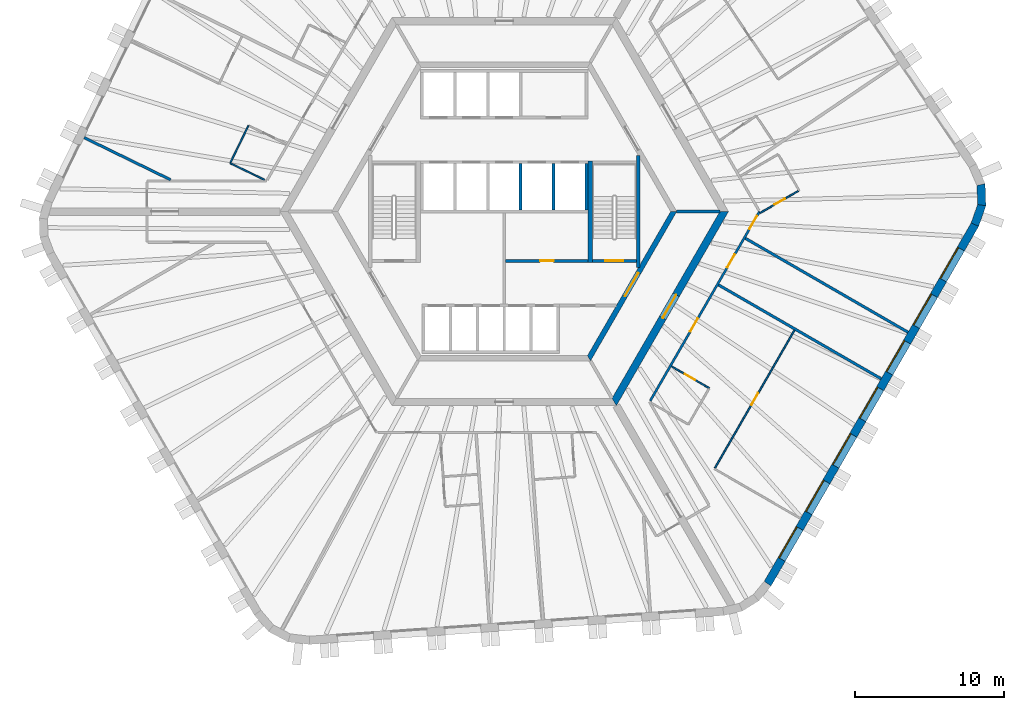
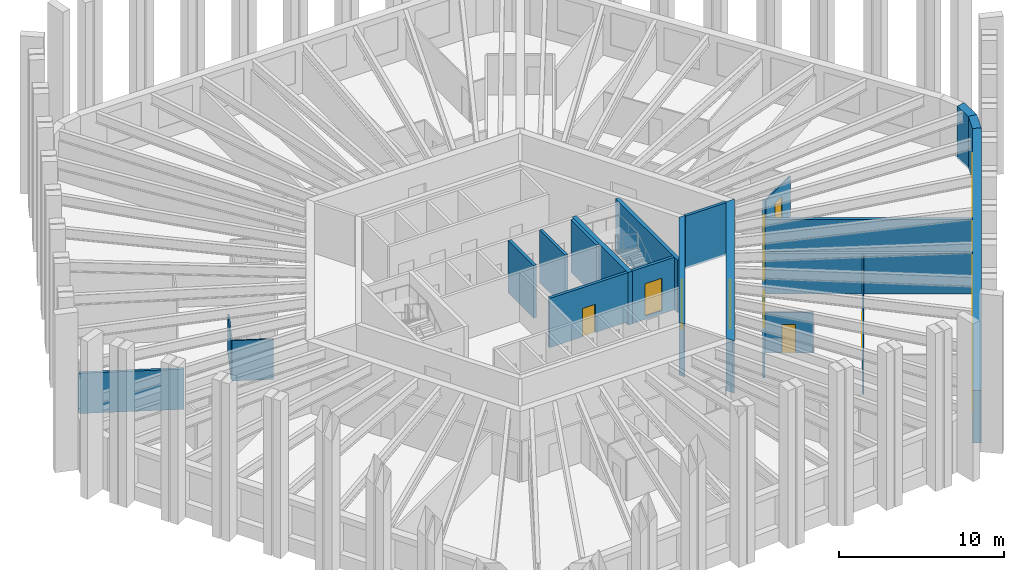
# One storey, part 5 of 9: 22 walls, 10 doors, 7 windows, 17 openings.
"""IFC4 building model written with IfcOpenShell, lengths in metres."""

from ifc_helpers import new_model, si_unit, direction, frame, frame_2d, origin, place, context, subcontext, project, spatial, polyline, rectangle, outline, extrude, material, layer, layer_set, type_object, element, fill, save


model = new_model("IFC4")

# Units and contexts
model_context = context("Model", 3, precision=1e-05, world=origin(), true_north=direction((0.0, 1.0)))
body_context = subcontext(model_context, "Body", "Model", "MODEL_VIEW")
ifc_project = project(units=[si_unit("LENGTHUNIT", "METRE"), si_unit("AREAUNIT", "SQUARE_METRE"), si_unit("VOLUMEUNIT", "CUBIC_METRE"), si_unit("PLANEANGLEUNIT", "RADIAN"), si_unit("MASSUNIT", "GRAM", prefix="KILO")], contexts=[model_context])

# Site, building, storey
site_placement = place(None, origin())
site = spatial("IfcSite", under=ifc_project, at=site_placement, CompositionType="ELEMENT")
building_placement = place(site_placement, origin())
building = spatial("IfcBuilding", under=site, at=building_placement, Name="Tarnside Tower", CompositionType="ELEMENT")
storey_placement = place(building_placement, frame((0.0, 0.0, 215.10009765625)))
storey = spatial("IfcBuildingStorey", under=building, at=storey_placement, Name="L51", CompositionType="ELEMENT", Elevation=215.10009765625)

# Walls
ifc_material_1 = material(Name="Gypsum board partition on steel studs", Category="steel")
ifc_layer_1 = layer(ifc_material_1, 0.10009765625)
ifc_layer_set_1 = layer_set([ifc_layer_1], Name="Bathroom wall 100")
wall_type_1 = type_object("IfcWallType", Name="Bathroom wall 100", PredefinedType="PARTITIONING", material=ifc_layer_set_1)
wall_1_placement = place(storey_placement, frame((-16.059814453125, 2.125, 0.0), z_axis=(0.0, 0.0, 1.0), x_axis=(-0.898792392919, 0.438374536704, 0.0)))
element("IfcWall", 1, at=wall_1_placement, inside=storey, type_object=wall_type_1, Name="Bathroom wall 17060", PredefinedType="PARTITIONING", context=body_context, shape_type="SweptSolid", body=[
    extrude(rectangle(XDim=2.54736328125, YDim=0.10009765625, at=frame_2d((1.273681640625, 0.0))), origin(), (0.0, 0.0, 1.0), 2.98779296875),
])
wall_2_placement = place(storey_placement, frame((-18.32763671875, 3.28662109375, 0.0), z_axis=(0.0, 0.0, 1.0), x_axis=(0.438385151252, 0.898787215731, 0.0)))
element("IfcWall", 2, at=wall_2_placement, inside=storey, type_object=wall_type_1, Name="Bathroom wall 17061", PredefinedType="PARTITIONING", context=body_context, shape_type="SweptSolid", body=[
    extrude(rectangle(XDim=2.75, YDim=0.10009765625, at=frame_2d((1.375, 0.0))), origin(), (0.0, 0.0, 1.0), 2.98779296875),
])

# Wall, opening, door
wall_3_placement = place(storey_placement, frame((11.193359375, -10.362548828125, 0.0), z_axis=(0.0, 0.0, 1.0), x_axis=(0.865989585315, -0.500062034277, 0.0)))
wall_3 = element("IfcWall", 3, at=wall_3_placement, inside=storey, type_object=wall_type_1, Name="Bathroom wall 17081", PredefinedType="PARTITIONING", context=body_context, shape_type="SweptSolid", body=[
    extrude(rectangle(XDim=2.925048828125, YDim=0.10009765625, at=frame_2d((1.46240234375, 0.0))), origin(), (0.0, 0.0, 1.0), 2.98779296875),
])
opening_1_placement = place(wall_3_placement, frame((1.02490234375, 0.0, 0.0)))
opening_1 = element("IfcOpeningElement", 4, at=opening_1_placement, cuts=wall_3, Name="Opening D-B1", PredefinedType="OPENING", context=body_context, shape_type="SweptSolid", body=[
    extrude(rectangle(XDim=0.800048828125, YDim=2.10009765625, at=frame_2d((0.39990234375, 1.050048828125))), frame((0.0, 0.06005859375, 0.0), z_axis=(0.0, -1.0, 0.0), x_axis=(1.0, 0.0, 0.0)), (0.0, 0.0, 1.0), 0.1201171875),
])
ifc_material_2 = material(Name="Timber door leaf", Category="wood")
door_type_1 = type_object("IfcDoorType", Name="Bathroom door 800", OperationType="NOTDEFINED", PredefinedType="DOOR", material=ifc_material_2)
door_1_placement = place(opening_1_placement, origin())
door_1 = element("IfcDoor", 5, at=door_1_placement, inside=storey, type_object=door_type_1, Name="Bathroom door 17024", OperationType="SINGLE_SWING_RIGHT", OverallHeight=2.10009765625, OverallWidth=0.800048828125, PredefinedType="DOOR", context=body_context, shape_type="SweptSolid", body=[
    extrude(rectangle(XDim=0.800048828125, YDim=2.10009765625, at=frame_2d((0.39990234375, 1.050048828125))), frame((0.0, 0.02490234375, 0.0), z_axis=(0.0, -1.0, 0.0), x_axis=(1.0, 0.0, 0.0)), (0.0, 0.0, 1.0), 0.050048828125),
])
fill(opening_1, door_1)

wall_4_placement = place(storey_placement, frame((19.696533203125, 1.384765625, 0.0), z_axis=(0.0, 0.0, 1.0), x_axis=(-0.866036909293, -0.499980071345, 0.0)))
wall_4 = element("IfcWall", 6, at=wall_4_placement, inside=storey, type_object=wall_type_1, Name="Bathroom wall 17091", PredefinedType="PARTITIONING", context=body_context, shape_type="SweptSolid", body=[
    extrude(rectangle(XDim=2.98046875, YDim=0.10009765625, at=frame_2d((1.490234375, 0.0))), origin(), (0.0, 0.0, 1.0), 2.98779296875),
])
opening_2_placement = place(wall_4_placement, frame((1.050048828125, 0.0, 0.0)))
opening_2 = element("IfcOpeningElement", 7, at=opening_2_placement, cuts=wall_4, Name="Opening D-B1", PredefinedType="OPENING", context=body_context, shape_type="SweptSolid", body=[
    extrude(rectangle(XDim=0.800048828125, YDim=2.10009765625, at=frame_2d((0.39990234375, 1.050048828125))), frame((0.0, 0.06005859375, 0.0), z_axis=(0.0, -1.0, 0.0), x_axis=(1.0, 0.0, 0.0)), (0.0, 0.0, 1.0), 0.1201171875),
])
door_2_placement = place(opening_2_placement, origin())
door_2 = element("IfcDoor", 8, at=door_2_placement, inside=storey, type_object=door_type_1, Name="Bathroom door 17028", OperationType="SINGLE_SWING_RIGHT", OverallHeight=2.10009765625, OverallWidth=0.800048828125, PredefinedType="DOOR", context=body_context, shape_type="SweptSolid", body=[
    extrude(rectangle(XDim=0.800048828125, YDim=2.10009765625, at=frame_2d((0.39990234375, 1.050048828125))), frame((0.0, 0.02490234375, 0.0), z_axis=(0.0, -1.0, 0.0), x_axis=(1.0, 0.0, 0.0)), (0.0, 0.0, 1.0), 0.050048828125),
])
fill(opening_2, door_2)

ifc_material_3 = material(Name="Concrete C50/60", Category="concrete")
ifc_layer_2 = layer(ifc_material_3, 0.35009765625)
ifc_layer_set_2 = layer_set([ifc_layer_2], Name="Core block wall 350 C50/60")
wall_type_2 = type_object("IfcWallType", Name="Core block wall 350 C50/60", PredefinedType="SHEAR", material=ifc_layer_set_2)
wall_5_placement = place(storey_placement, frame((5.672607421875, -9.824951171875, -0.150146484375), z_axis=(0.0, 0.0, 1.0), x_axis=(0.499995046907, 0.866028263435, 0.0)))
wall_5 = element("IfcWall", 9, at=wall_5_placement, inside=storey, type_object=wall_type_2, Name="L51 core block wall face 5", PredefinedType="SHEAR", context=body_context, shape_type="SweptSolid", body=[
    extrude(outline(polyline([(-0.10107421875, -0.175048828125), (11.44580078125, -0.175048828125), (11.24365234375, 0.175048828125), (0.10107421875, 0.175048828125), (-0.10107421875, -0.175048828125)])), origin(), (0.0, 0.0, 1.0), 3.900146484375),
])
opening_3_placement = place(wall_5_placement, frame((4.80126953125, 0.0, 0.14990234375)))
opening_3 = element("IfcOpeningElement", 10, at=opening_3_placement, cuts=wall_5, Name="Opening CD-FFL", PredefinedType="OPENING", context=body_context, shape_type="SweptSolid", body=[
    extrude(rectangle(XDim=1.800048828125, YDim=2.39990234375, at=frame_2d((0.89990234375, 1.199951171875))), frame((0.0, 0.18505859375, 0.0), z_axis=(0.0, -1.0, 0.0), x_axis=(1.0, 0.0, 0.0)), (0.0, 0.0, 1.0), 0.3701171875),
])
ifc_material_4 = material(Name="Steel fire door", Category="steel")
door_type_2 = type_object("IfcDoorType", Name="Firefighting lobby double door FD60S 1800x2400", OperationType="NOTDEFINED", PredefinedType="DOOR", material=ifc_material_4)
door_3_placement = place(opening_3_placement, origin())
door_3 = element("IfcDoor", 11, at=door_3_placement, inside=storey, type_object=door_type_2, Name="L51 lobby block door P4", OperationType="DOUBLE_DOOR_SINGLE_SWING", OverallHeight=2.39990234375, OverallWidth=1.800048828125, PredefinedType="DOOR", context=body_context, shape_type="SweptSolid", body=[
    extrude(rectangle(XDim=1.800048828125, YDim=2.39990234375, at=frame_2d((0.89990234375, 1.199951171875))), frame((0.0, 0.02490234375, 0.0), z_axis=(0.0, -1.0, 0.0), x_axis=(1.0, 0.0, 0.0)), (0.0, 0.0, 1.0), 0.050048828125),
])
fill(opening_3, door_3)

ifc_material_5 = material(Name="Concrete C40/50", Category="concrete")
ifc_layer_3 = layer(ifc_material_5, 0.199951171875)
ifc_layer_set_3 = layer_set([ifc_layer_3], Name="Core room partition 200 C40/50")
wall_type_3 = type_object("IfcWallType", Name="Core room partition 200 C40/50", PredefinedType="PARTITIONING", material=ifc_layer_set_3)
wall_6_placement = place(storey_placement, frame((0.10009765625, -3.300048828125, 0.0), z_axis=(0.0, 0.0, 1.0), x_axis=(1.0, 0.0, 0.0)))
wall_6 = element("IfcWall", 12, at=wall_6_placement, inside=storey, type_object=wall_type_3, Name="L51 core partition R3S1", PredefinedType="PARTITIONING", context=body_context, shape_type="SweptSolid", body=[
    extrude(rectangle(XDim=5.5, YDim=0.199951171875, at=frame_2d((2.75, 0.0))), origin(), (0.0, 0.0, 1.0), 3.64990234375),
])
opening_4_placement = place(wall_6_placement, frame((2.300048828125, 0.0, 0.0)))
opening_4 = element("IfcOpeningElement", 13, at=opening_4_placement, cuts=wall_6, Name="Opening CD-room", PredefinedType="OPENING", context=body_context, shape_type="SweptSolid", body=[
    extrude(rectangle(XDim=0.89990234375, YDim=2.10009765625, at=frame_2d((0.449951171875, 1.050048828125))), frame((0.0, 0.10986328125, 0.0), z_axis=(0.0, -1.0, 0.0), x_axis=(1.0, 0.0, 0.0)), (0.0, 0.0, 1.0), 0.219970703125),
])
door_type_3 = type_object("IfcDoorType", Name="Room door FD60 900x2100", OperationType="NOTDEFINED", PredefinedType="DOOR", material=ifc_material_4)
door_4_placement = place(opening_4_placement, origin())
door_4 = element("IfcDoor", 14, at=door_4_placement, inside=storey, type_object=door_type_3, Name="L51 core room door SR1", OperationType="SINGLE_SWING_LEFT", OverallHeight=2.10009765625, OverallWidth=0.89990234375, PredefinedType="DOOR", context=body_context, shape_type="SweptSolid", body=[
    extrude(rectangle(XDim=0.89990234375, YDim=2.10009765625, at=frame_2d((0.449951171875, 1.050048828125))), frame((0.0, 0.02490234375, 0.0), z_axis=(0.0, -1.0, 0.0), x_axis=(1.0, 0.0, 0.0)), (0.0, 0.0, 1.0), 0.050048828125),
])
fill(opening_4, door_4)

ifc_material_6 = material(Name="Concrete C70/85", Category="concrete")
ifc_layer_4 = layer(ifc_material_6, 0.5)
ifc_layer_set_4 = layer_set([ifc_layer_4], Name="Core wall Z2 500 C70/85")
wall_type_4 = type_object("IfcWallType", Name="Core wall Z2 500 C70/85", PredefinedType="SHEAR", material=ifc_layer_set_4)
wall_7_placement = place(storey_placement, frame((7.361083984375, -12.75, -0.150146484375), z_axis=(0.0, 0.0, 1.0), x_axis=(0.50000571537, 0.866022103989, 0.0)))
wall_7 = element("IfcWall", 15, at=wall_7_placement, inside=storey, type_object=wall_type_4, Name="L51 core wall face 5", PredefinedType="SHEAR", context=body_context, shape_type="SweptSolid", body=[
    extrude(outline(polyline([(-0.144287109375, -0.25), (14.86669921875, -0.25), (14.578125, 0.25), (0.144287109375, 0.25), (-0.144287109375, -0.25)])), origin(), (0.0, 0.0, 1.0), 3.900146484375),
])
opening_5_placement = place(wall_7_placement, frame((6.489990234375, 0.0, 0.14990234375)))
opening_5 = element("IfcOpeningElement", 16, at=opening_5_placement, cuts=wall_7, Name="Opening CD-FFL", PredefinedType="OPENING", context=body_context, shape_type="SweptSolid", body=[
    extrude(rectangle(XDim=1.800048828125, YDim=2.39990234375, at=frame_2d((0.89990234375, 1.199951171875))), frame((0.0, 0.260009765625, 0.0), z_axis=(0.0, -1.0, 0.0), x_axis=(1.0, 0.0, 0.0)), (0.0, 0.0, 1.0), 0.52001953125),
])
door_5_placement = place(opening_5_placement, origin())
door_5 = element("IfcDoor", 17, at=door_5_placement, inside=storey, type_object=door_type_2, Name="L51 core door P4", OperationType="DOUBLE_DOOR_SINGLE_SWING", OverallHeight=2.39990234375, OverallWidth=1.800048828125, PredefinedType="DOOR", context=body_context, shape_type="SweptSolid", body=[
    extrude(rectangle(XDim=1.800048828125, YDim=2.39990234375, at=frame_2d((0.89990234375, 1.199951171875))), frame((0.0, 0.02490234375, 0.0), z_axis=(0.0, -1.0, 0.0), x_axis=(1.0, 0.0, 0.0)), (0.0, 0.0, 1.0), 0.050048828125),
])
fill(opening_5, door_5)

# Wall, openings, doors
ifc_layer_5 = layer(ifc_material_1, 0.14990234375)
ifc_layer_set_5 = layer_set([ifc_layer_5], Name="Corridor wall 150 EI 60")
wall_type_5 = type_object("IfcWallType", Name="Corridor wall 150 EI 60", PredefinedType="PARTITIONING", material=ifc_layer_set_5)
wall_8_placement = place(storey_placement, frame((9.771728515625, -12.675048828125, 0.0), z_axis=(0.0, 0.0, 1.0), x_axis=(0.499996322767, 0.866027526826, 0.0)))
wall_8 = element("IfcWall", 18, at=wall_8_placement, inside=storey, type_object=wall_type_5, Name="Corridor wall 17033", PredefinedType="PARTITIONING", context=body_context, shape_type="SweptSolid", body=[
    extrude(rectangle(XDim=14.6357421875, YDim=0.14990234375, at=frame_2d((7.31787109375, 0.0))), origin(), (0.0, 0.0, 1.0), 2.98779296875),
])
opening_6_placement = place(wall_8_placement, frame((5.361083984375, 0.0, 0.0)))
opening_6 = element("IfcOpeningElement", 19, at=opening_6_placement, cuts=wall_8, Name="Opening D-E1", PredefinedType="OPENING", context=body_context, shape_type="SweptSolid", body=[
    extrude(rectangle(XDim=1.0, YDim=2.10009765625, at=frame_2d((0.5, 1.050048828125))), frame((0.0, 0.0849609375, 0.0), z_axis=(0.0, -1.0, 0.0), x_axis=(1.0, 0.0, 0.0)), (0.0, 0.0, 1.0), 0.169921875),
])
opening_7_placement = place(wall_8_placement, frame((10.308837890625, 0.0, 0.0)))
opening_7 = element("IfcOpeningElement", 20, at=opening_7_placement, cuts=wall_8, Name="Opening D-E1", PredefinedType="OPENING", context=body_context, shape_type="SweptSolid", body=[
    extrude(rectangle(XDim=1.0, YDim=2.10009765625, at=frame_2d((0.5, 1.050048828125))), frame((0.0, 0.0849609375, 0.0), z_axis=(0.0, -1.0, 0.0), x_axis=(1.0, 0.0, 0.0)), (0.0, 0.0, 1.0), 0.169921875),
])
opening_8_placement = place(wall_8_placement, frame((13.277587890625, 0.0, 0.0)))
opening_8 = element("IfcOpeningElement", 21, at=opening_8_placement, cuts=wall_8, Name="Opening D-E1", PredefinedType="OPENING", context=body_context, shape_type="SweptSolid", body=[
    extrude(rectangle(XDim=1.0, YDim=2.10009765625, at=frame_2d((0.5, 1.050048828125))), frame((0.0, 0.0849609375, 0.0), z_axis=(0.0, -1.0, 0.0), x_axis=(1.0, 0.0, 0.0)), (0.0, 0.0, 1.0), 0.169921875),
])
door_type_4 = type_object("IfcDoorType", Name="Unit entrance door 1000 FD30S", OperationType="NOTDEFINED", PredefinedType="DOOR", material=ifc_material_2)
door_6_placement = place(opening_6_placement, origin())
door_6 = element("IfcDoor", 22, at=door_6_placement, inside=storey, type_object=door_type_4, Name="Unit door 17023", OperationType="SINGLE_SWING_LEFT", OverallHeight=2.10009765625, OverallWidth=1.0, PredefinedType="DOOR", context=body_context, shape_type="SweptSolid", body=[
    extrude(rectangle(XDim=1.0, YDim=2.10009765625, at=frame_2d((0.5, 1.050048828125))), frame((0.0, 0.02490234375, 0.0), z_axis=(0.0, -1.0, 0.0), x_axis=(1.0, 0.0, 0.0)), (0.0, 0.0, 1.0), 0.050048828125),
])
fill(opening_6, door_6)
door_7_placement = place(opening_7_placement, origin())
door_7 = element("IfcDoor", 23, at=door_7_placement, inside=storey, type_object=door_type_4, Name="Unit door 17026", OperationType="SINGLE_SWING_LEFT", OverallHeight=2.10009765625, OverallWidth=1.0, PredefinedType="DOOR", context=body_context, shape_type="SweptSolid", body=[
    extrude(rectangle(XDim=1.0, YDim=2.10009765625, at=frame_2d((0.5, 1.050048828125))), frame((0.0, 0.02490234375, 0.0), z_axis=(0.0, -1.0, 0.0), x_axis=(1.0, 0.0, 0.0)), (0.0, 0.0, 1.0), 0.050048828125),
])
fill(opening_7, door_7)
door_8_placement = place(opening_8_placement, origin())
door_8 = element("IfcDoor", 24, at=door_8_placement, inside=storey, type_object=door_type_4, Name="Unit door 17027", OperationType="SINGLE_SWING_LEFT", OverallHeight=2.10009765625, OverallWidth=1.0, PredefinedType="DOOR", context=body_context, shape_type="SweptSolid", body=[
    extrude(rectangle(XDim=1.0, YDim=2.10009765625, at=frame_2d((0.5, 1.050048828125))), frame((0.0, 0.02490234375, 0.0), z_axis=(0.0, -1.0, 0.0), x_axis=(1.0, 0.0, 0.0)), (0.0, 0.0, 1.0), 0.050048828125),
])
fill(opening_8, door_8)

# Walls
ifc_layer_6 = layer(ifc_material_1, 0.179931640625)
ifc_layer_set_6 = layer_set([ifc_layer_6], Name="Demising wall 180 EI 60")
wall_type_6 = type_object("IfcWallType", Name="Demising wall 180 EI 60", PredefinedType="PARTITIONING", material=ifc_layer_set_6)
wall_9_placement = place(storey_placement, frame((-28.127197265625, 4.948974609375, 0.0), z_axis=(0.0, 0.0, 1.0), x_axis=(0.898795032868, -0.438369124017, 0.0)))
element("IfcWall", 25, at=wall_9_placement, inside=storey, type_object=wall_type_6, Name="Demising wall 17065", PredefinedType="PARTITIONING", context=body_context, shape_type="SweptSolid", body=[
    extrude(rectangle(XDim=6.44189453125, YDim=0.179931640625, at=frame_2d((3.220947265625, 0.0))), origin(), (0.0, 0.0, 1.0), 2.98779296875),
])
wall_10_placement = place(storey_placement, frame((25.2314453125, -11.197998046875, 0.0), z_axis=(0.0, 0.0, 1.0), x_axis=(-0.866032662629, 0.499987427101, 0.0)))
element("IfcWall", 26, at=wall_10_placement, inside=storey, type_object=wall_type_6, Name="Demising wall 17086", PredefinedType="PARTITIONING", context=body_context, shape_type="SweptSolid", body=[
    extrude(rectangle(XDim=12.574951171875, YDim=0.179931640625, at=frame_2d((6.28759765625, 0.0))), origin(), (0.0, 0.0, 1.0), 2.98779296875),
])
wall_11_placement = place(storey_placement, frame((27.03125, -8.080322265625, 0.0), z_axis=(0.0, 0.0, 1.0), x_axis=(-0.86602780907, 0.499995833901, 0.0)))
element("IfcWall", 27, at=wall_11_placement, inside=storey, type_object=wall_type_6, Name="Demising wall 17088", PredefinedType="PARTITIONING", context=body_context, shape_type="SweptSolid", body=[
    extrude(rectangle(XDim=12.57470703125, YDim=0.179931640625, at=frame_2d((6.287353515625, 0.0))), origin(), (0.0, 0.0, 1.0), 2.98779296875),
])
ifc_layer_7 = layer(ifc_material_5, 0.199951171875)
ifc_layer_set_7 = layer_set([ifc_layer_7], Name="Lift shaft wall 200 C40/50")
wall_type_7 = type_object("IfcWallType", Name="Lift shaft wall 200 C40/50", PredefinedType="SHEAR", material=ifc_layer_set_7)
for number, where, z_axis, x_axis, name in (
    (28, (1.10009765625, 0.10009765625, -0.25), (0.0, 0.0, 1.0), (0.0, 1.0, 0.0), "L51 lift shaft partition R24"),
    (29, (3.300048828125, 0.10009765625, -0.25), (0.0, 0.0, 1.0), (0.0, 1.0, 0.0), "L51 lift shaft partition R25"),
    (30, (5.5, 0.10009765625, -0.25), (0.0, 0.0, 1.0), (0.0, 1.0, 0.0), "L51 lift shaft partition R26"),
):
    element("IfcWall", number, at=place(storey_placement, frame(where, z_axis=z_axis, x_axis=x_axis)), inside=storey, type_object=wall_type_7, Name=name, PredefinedType="SHEAR", context=body_context, shape_type="SweptSolid", body=[
        extrude(rectangle(XDim=3.099853515625, YDim=0.199951171875, at=frame_2d((1.5498046875, 0.0))), origin(), (0.0, 0.0, 1.0), 3.89990234375),
    ])
wall_12_placement = place(storey_placement, frame((11.547119140625, 0.0, -0.150146484375), z_axis=(0.0, 0.0, 1.0), x_axis=(1.0, 0.0, 0.0)))
element("IfcWall", 31, at=wall_12_placement, inside=storey, type_object=wall_type_7, Name="L51 core partition AR0", PredefinedType="SHEAR", context=body_context, shape_type="SweptSolid", body=[
    extrude(rectangle(XDim=2.88671875, YDim=0.199951171875, at=frame_2d((1.443359375, 0.0))), origin(), (0.0, 0.0, 1.0), 3.900146484375),
])

# Wall, opening, door
wall_13_placement = place(storey_placement, frame((5.89990234375, -3.300048828125, -0.25), z_axis=(0.0, 0.0, 1.0), x_axis=(1.0, 0.0, 0.0)))
wall_13 = element("IfcWall", 32, at=wall_13_placement, inside=storey, type_object=wall_type_7, Name="L51 stair 1 enclosure cap wall s", PredefinedType="SHEAR", context=body_context, shape_type="SweptSolid", body=[
    extrude(rectangle(XDim=2.9501953125, YDim=0.199951171875, at=frame_2d((1.47509765625, 0.0))), origin(), (0.0, 0.0, 1.0), 3.89990234375),
])
opening_9_placement = place(wall_13_placement, frame((0.875, 0.0, 0.25)))
opening_9 = element("IfcOpeningElement", 33, at=opening_9_placement, cuts=wall_13, Name="Opening CD-STR", PredefinedType="OPENING", context=body_context, shape_type="SweptSolid", body=[
    extrude(rectangle(XDim=1.199951171875, YDim=2.39990234375, at=frame_2d((0.60009765625, 1.199951171875))), frame((0.0, 0.10986328125, 0.0), z_axis=(0.0, -1.0, 0.0), x_axis=(1.0, 0.0, 0.0)), (0.0, 0.0, 1.0), 0.219970703125),
])
door_type_5 = type_object("IfcDoorType", Name="Stair door FD60S 1200x2400", OperationType="NOTDEFINED", PredefinedType="DOOR", material=ifc_material_4)
door_9_placement = place(opening_9_placement, origin())
door_9 = element("IfcDoor", 34, at=door_9_placement, inside=storey, type_object=door_type_5, Name="L51 stair 1 door", OperationType="SINGLE_SWING_LEFT", OverallHeight=2.39990234375, OverallWidth=1.199951171875, PredefinedType="DOOR", context=body_context, shape_type="SweptSolid", body=[
    extrude(rectangle(XDim=1.199951171875, YDim=2.39990234375, at=frame_2d((0.60009765625, 1.199951171875))), frame((0.0, 0.02490234375, 0.0), z_axis=(0.0, -1.0, 0.0), x_axis=(1.0, 0.0, 0.0)), (0.0, 0.0, 1.0), 0.050048828125),
])
fill(opening_9, door_9)

ifc_layer_8 = layer(ifc_material_1, 0.10009765625)
ifc_layer_set_8 = layer_set([ifc_layer_8], Name="Partition 100")
wall_type_8 = type_object("IfcWallType", Name="Partition 100", PredefinedType="PARTITIONING", material=ifc_layer_set_8)
wall_14_placement = place(storey_placement, frame((14.09716796875, -17.182861328125, 0.0), z_axis=(0.0, 0.0, 1.0), x_axis=(0.500001321243, 0.866024640963, 0.0)))
wall_14 = element("IfcWall", 35, at=wall_14_placement, inside=storey, type_object=wall_type_8, Name="Partition wall 17085", PredefinedType="PARTITIONING", context=body_context, shape_type="SweptSolid", body=[
    extrude(rectangle(XDim=10.66015625, YDim=0.10009765625, at=frame_2d((5.330078125, 0.0))), origin(), (0.0, 0.0, 1.0), 2.98779296875),
])
opening_10_placement = place(wall_14_placement, frame((4.89990234375, 0.0, 0.0)))
opening_10 = element("IfcOpeningElement", 36, at=opening_10_placement, cuts=wall_14, Name="Opening D-I1", PredefinedType="OPENING", context=body_context, shape_type="SweptSolid", body=[
    extrude(rectangle(XDim=0.89990234375, YDim=2.10009765625, at=frame_2d((0.449951171875, 1.050048828125))), frame((0.0, 0.06005859375, 0.0), z_axis=(0.0, -1.0, 0.0), x_axis=(1.0, 0.0, 0.0)), (0.0, 0.0, 1.0), 0.1201171875),
])
door_type_6 = type_object("IfcDoorType", Name="Internal door 900", OperationType="NOTDEFINED", PredefinedType="DOOR", material=ifc_material_2)
door_10_placement = place(opening_10_placement, origin())
door_10 = element("IfcDoor", 37, at=door_10_placement, inside=storey, type_object=door_type_6, Name="Internal door 17025", OperationType="SINGLE_SWING_LEFT", OverallHeight=2.10009765625, OverallWidth=0.89990234375, PredefinedType="DOOR", context=body_context, shape_type="SweptSolid", body=[
    extrude(rectangle(XDim=0.89990234375, YDim=2.10009765625, at=frame_2d((0.449951171875, 1.050048828125))), frame((0.0, 0.02490234375, 0.0), z_axis=(0.0, -1.0, 0.0), x_axis=(1.0, 0.0, 0.0)), (0.0, 0.0, 1.0), 0.050048828125),
])
fill(opening_10, door_10)

# Walls
ifc_layer_9 = layer(ifc_material_5, 0.25)
ifc_layer_set_9 = layer_set([ifc_layer_9], Name="Stair enclosure wall 250 C40/50")
wall_type_9 = type_object("IfcWallType", Name="Stair enclosure wall 250 C40/50", PredefinedType="SHEAR", material=ifc_layer_set_9)
wall_15_placement = place(storey_placement, frame((8.97509765625, -3.7548828125, -0.25), z_axis=(0.0, 0.0, 1.0), x_axis=(0.0, 1.0, 0.0)))
element("IfcWall", 38, at=wall_15_placement, inside=storey, type_object=wall_type_9, Name="L51 stair 1 enclosure wall outer", PredefinedType="SHEAR", context=body_context, shape_type="SweptSolid", body=[
    extrude(rectangle(XDim=7.509765625, YDim=0.25, at=frame_2d((3.7548828125, 0.0))), origin(), (0.0, 0.0, 1.0), 3.89990234375),
])
ifc_layer_10 = layer(ifc_material_5, 0.300048828125)
ifc_layer_set_10 = layer_set([ifc_layer_10], Name="Stair enclosure wall 300 C40/50")
wall_type_10 = type_object("IfcWallType", Name="Stair enclosure wall 300 C40/50", PredefinedType="SHEAR", material=ifc_layer_set_10)
wall_16_placement = place(storey_placement, frame((5.75, -3.39990234375, -0.25), z_axis=(0.0, 0.0, 1.0), x_axis=(0.0, 1.0, 0.0)))
element("IfcWall", 39, at=wall_16_placement, inside=storey, type_object=wall_type_10, Name="L51 stair 1 enclosure wall inner", PredefinedType="SHEAR", context=body_context, shape_type="SweptSolid", body=[
    extrude(rectangle(XDim=6.7998046875, YDim=0.300048828125, at=frame_2d((3.39990234375, 0.0))), origin(), (0.0, 0.0, 1.0), 3.89990234375),
])

# Wall, openings, windows
ifc_material_7 = material(Name="Facing brick", Category="masonry")
ifc_layer_11 = layer(ifc_material_7, 0.10205078125)
ifc_material_8 = material(Name="Concrete C60/75 precast", Category="concrete")
ifc_layer_12 = layer(ifc_material_8, 0.347900390625)
ifc_material_9 = material(Name="Mineral wool insulation")
ifc_layer_13 = layer(ifc_material_9, 0.10009765625)
ifc_layer_set_11 = layer_set([ifc_layer_11, ifc_layer_12, ifc_layer_13], Name="Tube wall 550 brick faced")
wall_type_11 = type_object("IfcWallType", Name="Tube wall 550 brick faced", PredefinedType="SOLIDWALL", material=ifc_layer_set_11)
wall_17_placement = place(storey_placement, frame((17.630126953125, -24.913818359375, -0.150146484375), z_axis=(0.0, 0.0, 1.0), x_axis=(0.499998569178, 0.866026229868, 0.0)))
wall_17 = element("IfcWall", 40, at=wall_17_placement, inside=storey, type_object=wall_type_11, Name="Tube wall L51 F5 flush 16", PredefinedType="SOLIDWALL", context=body_context, shape_type="SweptSolid", body=[
    extrude(outline(polyline([(-0.0224609375, -0.27490234375), (27.783447265625, -0.27490234375), (27.732177734375, 0.27490234375), (0.0224609375, 0.27490234375), (-0.0224609375, -0.27490234375)])), origin(), (0.0, 0.0, 1.0), 3.900146484375),
])
opening_11_placement = place(wall_17_placement, frame((1.87890625, 0.0, 1.050048828125)))
opening_11 = element("IfcOpeningElement", 41, at=opening_11_placement, cuts=wall_17, Name="Opening WH", PredefinedType="OPENING", context=body_context, shape_type="SweptSolid", body=[
    extrude(rectangle(XDim=2.39990234375, YDim=2.39990234375, at=frame_2d((1.199951171875, 1.199951171875))), frame((0.0, 0.28515625, 0.0), z_axis=(0.0, -1.0, 0.0), x_axis=(1.0, 0.0, 0.0)), (0.0, 0.0, 1.0), 0.570068359375),
])
opening_12_placement = place(wall_17_placement, frame((5.47900390625, 0.0, 1.050048828125)))
opening_12 = element("IfcOpeningElement", 42, at=opening_12_placement, cuts=wall_17, Name="Opening WH", PredefinedType="OPENING", context=body_context, shape_type="SweptSolid", body=[
    extrude(rectangle(XDim=2.39990234375, YDim=2.39990234375, at=frame_2d((1.199951171875, 1.199951171875))), frame((0.0, 0.28515625, 0.0), z_axis=(0.0, -1.0, 0.0), x_axis=(1.0, 0.0, 0.0)), (0.0, 0.0, 1.0), 0.570068359375),
])
opening_13_placement = place(wall_17_placement, frame((9.078857421875, 0.0, 1.050048828125)))
opening_13 = element("IfcOpeningElement", 43, at=opening_13_placement, cuts=wall_17, Name="Opening WH", PredefinedType="OPENING", context=body_context, shape_type="SweptSolid", body=[
    extrude(rectangle(XDim=2.39990234375, YDim=2.39990234375, at=frame_2d((1.199951171875, 1.199951171875))), frame((0.0, 0.28515625, 0.0), z_axis=(0.0, -1.0, 0.0), x_axis=(1.0, 0.0, 0.0)), (0.0, 0.0, 1.0), 0.570068359375),
])
opening_14_placement = place(wall_17_placement, frame((12.678955078125, 0.0, 1.050048828125)))
opening_14 = element("IfcOpeningElement", 44, at=opening_14_placement, cuts=wall_17, Name="Opening WH", PredefinedType="OPENING", context=body_context, shape_type="SweptSolid", body=[
    extrude(rectangle(XDim=2.39990234375, YDim=2.39990234375, at=frame_2d((1.199951171875, 1.199951171875))), frame((0.0, 0.28515625, 0.0), z_axis=(0.0, -1.0, 0.0), x_axis=(1.0, 0.0, 0.0)), (0.0, 0.0, 1.0), 0.570068359375),
])
opening_15_placement = place(wall_17_placement, frame((16.27880859375, 0.0, 1.050048828125)))
opening_15 = element("IfcOpeningElement", 45, at=opening_15_placement, cuts=wall_17, Name="Opening WH", PredefinedType="OPENING", context=body_context, shape_type="SweptSolid", body=[
    extrude(rectangle(XDim=2.39990234375, YDim=2.39990234375, at=frame_2d((1.199951171875, 1.199951171875))), frame((0.0, 0.28515625, 0.0), z_axis=(0.0, -1.0, 0.0), x_axis=(1.0, 0.0, 0.0)), (0.0, 0.0, 1.0), 0.570068359375),
])
opening_16_placement = place(wall_17_placement, frame((19.87890625, 0.0, 1.050048828125)))
opening_16 = element("IfcOpeningElement", 46, at=opening_16_placement, cuts=wall_17, Name="Opening WH", PredefinedType="OPENING", context=body_context, shape_type="SweptSolid", body=[
    extrude(rectangle(XDim=2.39990234375, YDim=2.39990234375, at=frame_2d((1.199951171875, 1.199951171875))), frame((0.0, 0.28515625, 0.0), z_axis=(0.0, -1.0, 0.0), x_axis=(1.0, 0.0, 0.0)), (0.0, 0.0, 1.0), 0.570068359375),
])
opening_17_placement = place(wall_17_placement, frame((23.47900390625, 0.0, 1.050048828125)))
opening_17 = element("IfcOpeningElement", 47, at=opening_17_placement, cuts=wall_17, Name="Opening WH", PredefinedType="OPENING", context=body_context, shape_type="SweptSolid", body=[
    extrude(rectangle(XDim=2.39990234375, YDim=2.39990234375, at=frame_2d((1.199951171875, 1.199951171875))), frame((0.0, 0.28515625, 0.0), z_axis=(0.0, -1.0, 0.0), x_axis=(1.0, 0.0, 0.0)), (0.0, 0.0, 1.0), 0.570068359375),
])
ifc_material_10 = material(Name="Aluminium-framed double glazing", Category="aluminium")
window_type = type_object("IfcWindowType", Name="Hotel window 2400 x 2400", PartitioningType="DOUBLE_PANEL_VERTICAL", PredefinedType="WINDOW", material=ifc_material_10)
window_1_placement = place(opening_11_placement, frame((0.0, 0.205078125, 0.0)))
window_1 = element("IfcWindow", 48, at=window_1_placement, inside=storey, type_object=window_type, Name="E.WN.L51.F5.00", OverallHeight=2.39990234375, OverallWidth=2.39990234375, PartitioningType="DOUBLE_PANEL_VERTICAL", PredefinedType="WINDOW", context=body_context, shape_type="SweptSolid", body=[
    extrude(rectangle(XDim=2.39990234375, YDim=2.39990234375, at=frame_2d((1.199951171875, 1.199951171875))), frame((0.0, 0.030029296875, 0.0), z_axis=(0.0, -1.0, 0.0), x_axis=(1.0, 0.0, 0.0)), (0.0, 0.0, 1.0), 0.06005859375),
])
fill(opening_11, window_1)
window_2_placement = place(opening_12_placement, frame((0.0, 0.205078125, 0.0)))
window_2 = element("IfcWindow", 49, at=window_2_placement, inside=storey, type_object=window_type, Name="E.WN.L51.F5.01", OverallHeight=2.39990234375, OverallWidth=2.39990234375, PartitioningType="DOUBLE_PANEL_VERTICAL", PredefinedType="WINDOW", context=body_context, shape_type="SweptSolid", body=[
    extrude(rectangle(XDim=2.39990234375, YDim=2.39990234375, at=frame_2d((1.199951171875, 1.199951171875))), frame((0.0, 0.030029296875, 0.0), z_axis=(0.0, -1.0, 0.0), x_axis=(1.0, 0.0, 0.0)), (0.0, 0.0, 1.0), 0.06005859375),
])
fill(opening_12, window_2)
window_3_placement = place(opening_13_placement, frame((0.0, 0.205078125, 0.0)))
window_3 = element("IfcWindow", 50, at=window_3_placement, inside=storey, type_object=window_type, Name="E.WN.L51.F5.02", OverallHeight=2.39990234375, OverallWidth=2.39990234375, PartitioningType="DOUBLE_PANEL_VERTICAL", PredefinedType="WINDOW", context=body_context, shape_type="SweptSolid", body=[
    extrude(rectangle(XDim=2.39990234375, YDim=2.39990234375, at=frame_2d((1.199951171875, 1.199951171875))), frame((0.0, 0.030029296875, 0.0), z_axis=(0.0, -1.0, 0.0), x_axis=(1.0, 0.0, 0.0)), (0.0, 0.0, 1.0), 0.06005859375),
])
fill(opening_13, window_3)
window_4_placement = place(opening_14_placement, frame((0.0, 0.205078125, 0.0)))
window_4 = element("IfcWindow", 51, at=window_4_placement, inside=storey, type_object=window_type, Name="E.WN.L51.F5.03", OverallHeight=2.39990234375, OverallWidth=2.39990234375, PartitioningType="DOUBLE_PANEL_VERTICAL", PredefinedType="WINDOW", context=body_context, shape_type="SweptSolid", body=[
    extrude(rectangle(XDim=2.39990234375, YDim=2.39990234375, at=frame_2d((1.199951171875, 1.199951171875))), frame((0.0, 0.030029296875, 0.0), z_axis=(0.0, -1.0, 0.0), x_axis=(1.0, 0.0, 0.0)), (0.0, 0.0, 1.0), 0.06005859375),
])
fill(opening_14, window_4)
window_5_placement = place(opening_15_placement, frame((0.0, 0.205078125, 0.0)))
window_5 = element("IfcWindow", 52, at=window_5_placement, inside=storey, type_object=window_type, Name="E.WN.L51.F5.04", OverallHeight=2.39990234375, OverallWidth=2.39990234375, PartitioningType="DOUBLE_PANEL_VERTICAL", PredefinedType="WINDOW", context=body_context, shape_type="SweptSolid", body=[
    extrude(rectangle(XDim=2.39990234375, YDim=2.39990234375, at=frame_2d((1.199951171875, 1.199951171875))), frame((0.0, 0.030029296875, 0.0), z_axis=(0.0, -1.0, 0.0), x_axis=(1.0, 0.0, 0.0)), (0.0, 0.0, 1.0), 0.06005859375),
])
fill(opening_15, window_5)
window_6_placement = place(opening_16_placement, frame((0.0, 0.205078125, 0.0)))
window_6 = element("IfcWindow", 53, at=window_6_placement, inside=storey, type_object=window_type, Name="E.WN.L51.F5.05", OverallHeight=2.39990234375, OverallWidth=2.39990234375, PartitioningType="DOUBLE_PANEL_VERTICAL", PredefinedType="WINDOW", context=body_context, shape_type="SweptSolid", body=[
    extrude(rectangle(XDim=2.39990234375, YDim=2.39990234375, at=frame_2d((1.199951171875, 1.199951171875))), frame((0.0, 0.030029296875, 0.0), z_axis=(0.0, -1.0, 0.0), x_axis=(1.0, 0.0, 0.0)), (0.0, 0.0, 1.0), 0.06005859375),
])
fill(opening_16, window_6)
window_7_placement = place(opening_17_placement, frame((0.0, 0.205078125, 0.0)))
window_7 = element("IfcWindow", 54, at=window_7_placement, inside=storey, type_object=window_type, Name="E.WN.L51.F5.06", OverallHeight=2.39990234375, OverallWidth=2.39990234375, PartitioningType="DOUBLE_PANEL_VERTICAL", PredefinedType="WINDOW", context=body_context, shape_type="SweptSolid", body=[
    extrude(rectangle(XDim=2.39990234375, YDim=2.39990234375, at=frame_2d((1.199951171875, 1.199951171875))), frame((0.0, 0.030029296875, 0.0), z_axis=(0.0, -1.0, 0.0), x_axis=(1.0, 0.0, 0.0)), (0.0, 0.0, 1.0), 0.06005859375),
])
fill(opening_17, window_7)

# Walls
wall_18_placement = place(storey_placement, frame((31.509033203125, -0.874755859375, -0.150146484375), z_axis=(0.0, 0.0, 1.0), x_axis=(0.33111537203, 0.943590276765, 0.0)))
element("IfcWall", 55, at=wall_18_placement, inside=storey, type_object=wall_type_11, Name="Tube wall L51 F5 chord 17", PredefinedType="SOLIDWALL", context=body_context, shape_type="SweptSolid", body=[
    extrude(outline(polyline([(-0.025634765625, -0.27490234375), (1.4306640625, -0.27490234375), (1.3271484375, 0.27490234375), (0.025634765625, 0.27490234375), (-0.025634765625, -0.27490234375)])), origin(), (0.0, 0.0, 1.0), 3.900146484375),
])
wall_19_placement = place(storey_placement, frame((31.965576171875, 0.42626953125, -0.150146484375), z_axis=(0.0, 0.0, 1.0), x_axis=(-0.034876908462, 0.999391615562, 0.0)))
element("IfcWall", 56, at=wall_19_placement, inside=storey, type_object=wall_type_11, Name="Tube wall L51 F5 chord 18", PredefinedType="SOLIDWALL", context=body_context, shape_type="SweptSolid", body=[
    extrude(outline(polyline([(-0.0517578125, -0.27490234375), (1.4306640625, -0.27490234375), (1.3271484375, 0.27490234375), (0.0517578125, 0.27490234375), (-0.0517578125, -0.27490234375)])), origin(), (0.0, 0.0, 1.0), 3.900146484375),
])

save(model, "model.ifc")
